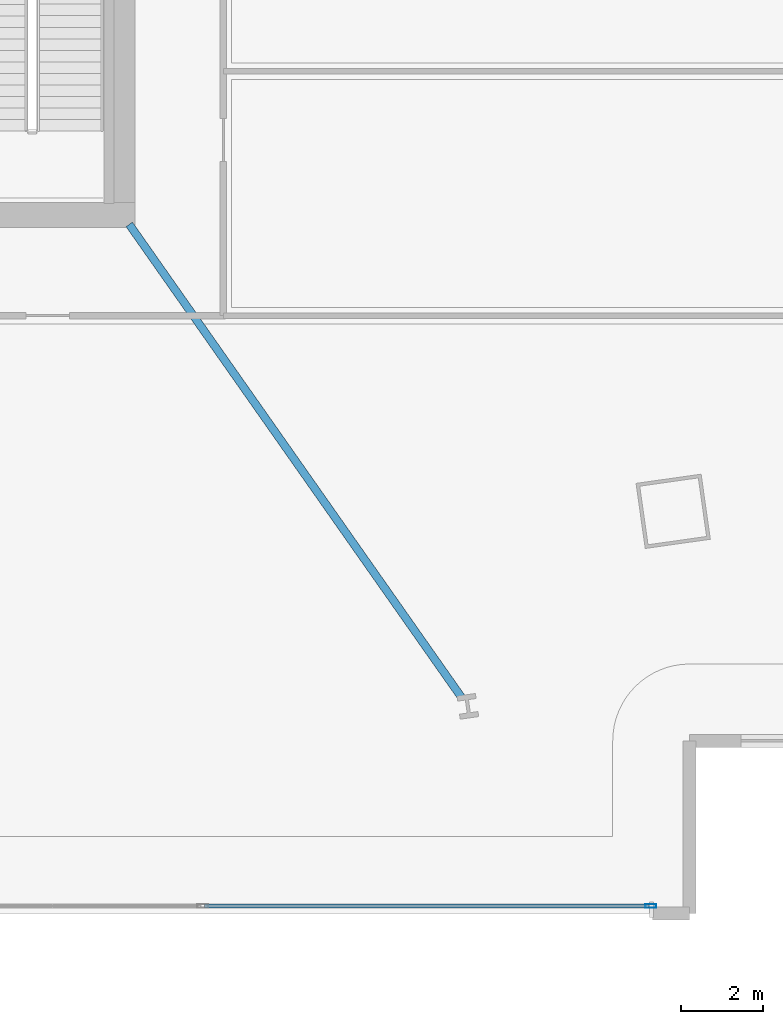
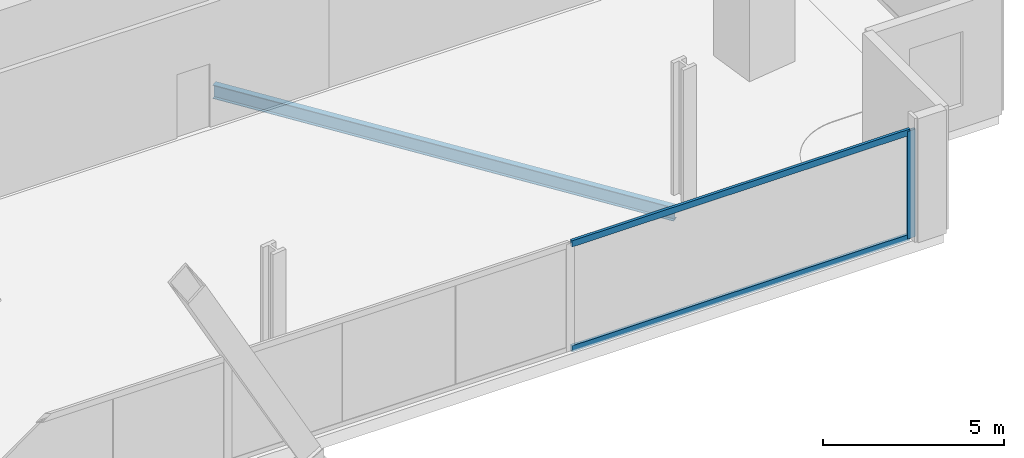
# One storey, part 8 of 29: 3 members, 1 beam, 1 element without a shape of its own.
"""IFC4 building model written with IfcOpenShell, lengths in metres."""

from ifc_helpers import new_model, si_unit, direction, frame, origin, origin_2d, place, context, subcontext, project, spatial, hollow_rectangle, i_section, extrude, material, material_profile, profile_set, type_object, element, aggregate, save


model = new_model("IFC4")

# Units and contexts
model_context = context("Model", 3, precision=1e-05, world=origin(), true_north=direction((0.0, 1.0)))
body_context = subcontext(model_context, "Body", "Model", "MODEL_VIEW")
ifc_project = project(units=[si_unit("LENGTHUNIT", "METRE"), si_unit("AREAUNIT", "SQUARE_METRE"), si_unit("VOLUMEUNIT", "CUBIC_METRE"), si_unit("PLANEANGLEUNIT", "RADIAN"), si_unit("MASSUNIT", "GRAM", prefix="KILO")], contexts=[model_context])

# Site, building, storey
site_placement = place(None, origin())
site = spatial("IfcSite", under=ifc_project, at=site_placement, CompositionType="ELEMENT")
building_placement = place(site_placement, origin())
building = spatial("IfcBuilding", under=site, at=building_placement, Name="Haldenkirk Collegiate Tower", CompositionType="ELEMENT")
storey_placement = place(building_placement, frame((0.0, 0.0, 28.199951171875)))
storey = spatial("IfcBuildingStorey", under=building, at=storey_placement, Name="L05", CompositionType="ELEMENT", Elevation=28.199951171875)

# Beam
ifc_material_1 = material(Name="Steel ASTM A992 Grade 50", Category="steel")
ifc_material_profile_1 = material_profile(ifc_material_1, i_section(OverallWidth=0.19189453125, OverallDepth=0.462890625, WebThickness=0.010498046875, FlangeThickness=0.017578125, at=origin_2d()), Name="W18X60")
ifc_profile_set_1 = profile_set([ifc_material_profile_1], Name="Steel ASTM A992 Grade 50")
beam_type = type_object("IfcBeamType", Name="BM-JOIST-W18X60", PredefinedType="JOIST", material=ifc_profile_set_1)
beam_placement = place(storey_placement, frame((53.25048828125, 6.256591796875, -0.641357421875), z_axis=(-0.574869236657, 0.818245293751, 0.0), x_axis=(-0.818245293751, -0.574869236657, 0.0)))
element("IfcBeam", 1, at=beam_placement, inside=storey, type_object=beam_type, Name="L05 composite floor joist 07", PredefinedType="JOIST", context=body_context, shape_type="SweptSolid", body=[
    extrude(i_section(OverallWidth=0.19189453125, OverallDepth=0.462890625, WebThickness=0.010498046875, FlangeThickness=0.017578125, at=origin_2d()), origin(), (0.0, 0.0, 1.0), 14.072021484375),
])

# Curtain wall, members
ifc_material_2 = material(Name="Anodised architectural bronze aluminium", Category="aluminium")
curtain_wall_type = type_object("IfcCurtainWallType", Name="CW-SYS4-SKYGARDEN", PredefinedType="USERDEFINED", material=ifc_material_2)
curtain_wall_placement = place(storey_placement, origin())
curtain_wall = element("IfcCurtainWall", 2, at=curtain_wall_placement, inside=storey, type_object=curtain_wall_type, Name="L05 Sky-garden tall bronze curtain wall", ObjectType="UNITISED CURTAIN WALL", PredefinedType="USERDEFINED")
ifc_material_profile_2 = material_profile(ifc_material_2, hollow_rectangle(XDim=0.090087890625, YDim=0.260009765625, WallThickness=0.0048828125, at=origin_2d()), Name="CW-MUL-04")
ifc_profile_set_2 = profile_set([ifc_material_profile_2], Name="Anodised architectural bronze aluminium")
member_type_1 = type_object("IfcMemberType", Name="CW-MUL-04", PredefinedType="MULLION", material=ifc_profile_set_2)
member_1_placement = place(storey_placement, frame((57.85498046875, 1.179931640625, 0.0), z_axis=(0.0, 0.0, 1.0), x_axis=(0.0, -1.0, 0.0)))
member_1 = element("IfcMember", 3, at=member_1_placement, type_object=member_type_1, Name="CW-04 mullion 1", PredefinedType="MULLION", context=body_context, shape_type="SweptSolid", body=[
    extrude(hollow_rectangle(XDim=0.090087890625, YDim=0.260009765625, WallThickness=0.0048828125, at=origin_2d()), origin(), (0.0, 0.0, 1.0), 3.64111328125),
])
ifc_material_profile_3 = material_profile(ifc_material_2, hollow_rectangle(XDim=0.090087890625, YDim=0.2099609375, WallThickness=0.0048828125, at=origin_2d()), Name="CW-TRN-04")
ifc_profile_set_3 = profile_set([ifc_material_profile_3], Name="Anodised architectural bronze aluminium")
member_type_2 = type_object("IfcMemberType", Name="CW-TRN-04", PredefinedType="USERDEFINED", material=ifc_profile_set_3)
member_2_placement = place(storey_placement, frame((57.81005859375, 1.179931640625, 0.045166015625), z_axis=(-1.0, 0.0, 0.0), x_axis=(0.0, -1.0, 0.0)))
member_2 = element("IfcMember", 4, at=member_2_placement, type_object=member_type_2, Name="CW-04 transom 1.1", ObjectType="TRANSOM", PredefinedType="USERDEFINED", context=body_context, shape_type="SweptSolid", body=[
    extrude(hollow_rectangle(XDim=0.090087890625, YDim=0.2099609375, WallThickness=0.0048828125, at=origin_2d()), origin(), (0.0, 0.0, 1.0), 10.81494140625),
])
member_3_placement = place(storey_placement, frame((57.81005859375, 1.179931640625, 3.595947265625), z_axis=(-1.0, 0.0, 0.0), x_axis=(0.0, -1.0, 0.0)))
member_3 = element("IfcMember", 5, at=member_3_placement, type_object=member_type_2, Name="CW-04 transom 1.2", ObjectType="TRANSOM", PredefinedType="USERDEFINED", context=body_context, shape_type="SweptSolid", body=[
    extrude(hollow_rectangle(XDim=0.090087890625, YDim=0.2099609375, WallThickness=0.0048828125, at=origin_2d()), origin(), (0.0, 0.0, 1.0), 10.81494140625),
])
aggregate(curtain_wall, [member_1, member_2, member_3])

save(model, "model.ifc")
